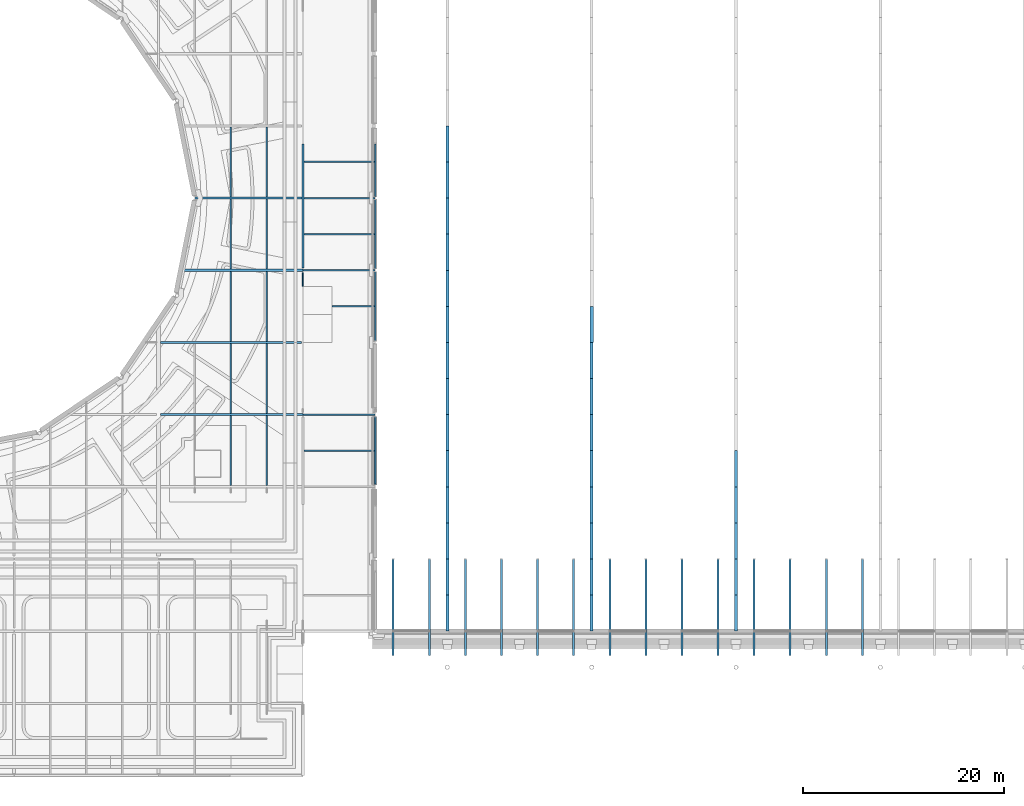
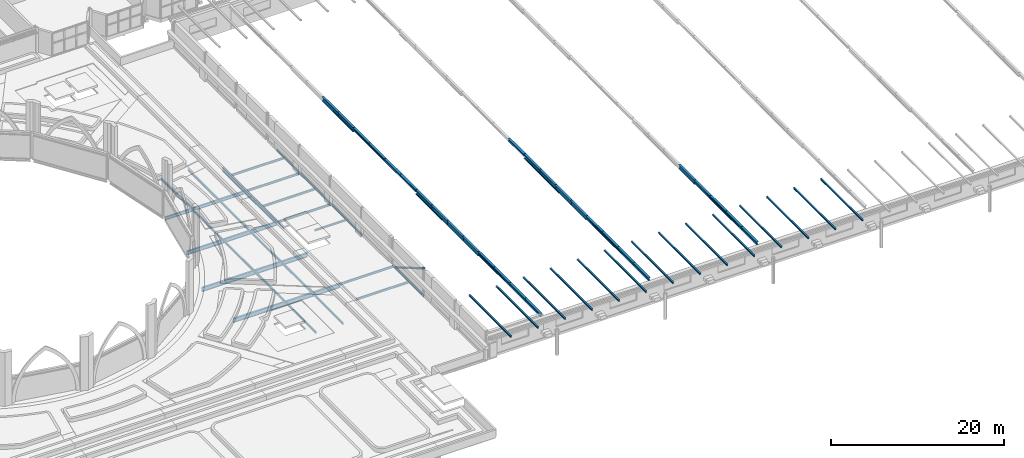
# One storey, part 22 of 110: 43 members, 27 beams.
"""IFC4 building model written with IfcOpenShell, lengths in metres."""

from ifc_helpers import new_model, si_unit, direction, frame, origin, origin_2d, place, context, subcontext, project, spatial, hollow_circle, i_section, extrude, material, material_profile, profile_set, type_object, element, save


model = new_model("IFC4")

# Units and contexts
model_context = context("Model", 3, precision=1e-05, world=origin(), true_north=direction((0.0, 1.0)))
body_context = subcontext(model_context, "Body", "Model", "MODEL_VIEW")
ifc_project = project(units=[si_unit("LENGTHUNIT", "METRE"), si_unit("AREAUNIT", "SQUARE_METRE"), si_unit("VOLUMEUNIT", "CUBIC_METRE"), si_unit("PLANEANGLEUNIT", "RADIAN"), si_unit("MASSUNIT", "GRAM", prefix="KILO")], contexts=[model_context])

# Site, building, storey
site_placement = place(None, origin())
site = spatial("IfcSite", under=ifc_project, at=site_placement, CompositionType="ELEMENT")
building_placement = place(site_placement, origin())
building = spatial("IfcBuilding", under=site, at=building_placement, Name="Kupolbacken Congress Centre", CompositionType="ELEMENT")
storey_placement = place(building_placement, frame((0.0, 0.0, 18.0)))
storey = spatial("IfcBuildingStorey", under=building, at=storey_placement, Name="L05", CompositionType="ELEMENT", Elevation=18.0)

# Beams
ifc_material_1 = material(Name="Steel S355", Category="steel")
ifc_material_profile_1 = material_profile(ifc_material_1, i_section(OverallWidth=0.10009765625, OverallDepth=0.199951171875, WebThickness=0.005615234375, FlangeThickness=0.008544921875, FilletRadius=0.011962890625, at=origin_2d()), Name="IPE 200")
ifc_profile_set_1 = profile_set([ifc_material_profile_1], Name="Steel S355")
beam_type_1 = type_object("IfcBeamType", Name="B01 beam IPE 200", PredefinedType="BEAM", material=ifc_profile_set_1)
beam_1_placement = place(storey_placement, frame((79.199951171875, 77.60009765625, -0.280029296875), z_axis=(0.0, 1.0, 0.0), x_axis=(-1.0, 0.0, 0.0)))
element("IfcBeam", 1, at=beam_1_placement, inside=storey, type_object=beam_type_1, Name="S/floor/P/L05/G034", PredefinedType="BEAM", context=body_context, shape_type="SweptSolid", body=[
    extrude(i_section(OverallWidth=0.10009765625, OverallDepth=0.199951171875, WebThickness=0.005615234375, FlangeThickness=0.008544921875, FilletRadius=0.011962890625, at=origin_2d()), origin(), (0.0, 0.0, 1.0), 1.375),
])
ifc_material_2 = material(Name="Steel S355", Category="steel")
ifc_material_profile_2 = material_profile(ifc_material_2, i_section(OverallWidth=0.135009765625, OverallDepth=0.27001953125, WebThickness=0.006591796875, FlangeThickness=0.01025390625, FilletRadius=0.014892578125, at=origin_2d()), Name="IPE 270")
ifc_profile_set_2 = profile_set([ifc_material_profile_2], Name="Steel S355")
beam_type_2 = type_object("IfcBeamType", Name="B03 beam IPE 270", PredefinedType="BEAM", material=ifc_profile_set_2)
beam_2_placement = place(storey_placement, frame((86.39990234375, 86.544921875, -0.31494140625), z_axis=(0.0, 1.0, 0.0), x_axis=(-1.0, 0.0, 0.0)))
element("IfcBeam", 2, at=beam_2_placement, inside=storey, type_object=beam_type_2, Name="S/floor/LINK/L05/E007", PredefinedType="BEAM", context=body_context, shape_type="SweptSolid", body=[
    extrude(i_section(OverallWidth=0.135009765625, OverallDepth=0.27001953125, WebThickness=0.006591796875, FlangeThickness=0.01025390625, FilletRadius=0.014892578125, at=origin_2d()), origin(), (0.0, 0.0, 1.0), 5.255126953125),
])
beam_3_placement = place(storey_placement, frame((82.10009765625, 75.60009765625, -0.31494140625), z_axis=(1.0, 0.0, 0.0), x_axis=(0.0, 1.0, 0.0)))
element("IfcBeam", 3, at=beam_3_placement, inside=storey, type_object=beam_type_2, Name="S/floor/LINK/L05/R015", PredefinedType="BEAM", context=body_context, shape_type="SweptSolid", body=[
    extrude(i_section(OverallWidth=0.135009765625, OverallDepth=0.27001953125, WebThickness=0.006591796875, FlangeThickness=0.01025390625, FilletRadius=0.014892578125, at=origin_2d()), origin(), (0.0, 0.0, 1.0), 4.224853515625),
])
ifc_material_3 = material(Name="Steel S355", Category="steel")
ifc_material_profile_3 = material_profile(ifc_material_3, i_section(OverallWidth=0.14990234375, OverallDepth=0.300048828125, WebThickness=0.007080078125, FlangeThickness=0.0107421875, FilletRadius=0.014892578125, at=origin_2d()), Name="IPE 300")
ifc_profile_set_3 = profile_set([ifc_material_profile_3], Name="Steel S355")
beam_type_3 = type_object("IfcBeamType", Name="B04 beam IPE 300", PredefinedType="BEAM", material=ifc_profile_set_3)
for number, where, z_axis, x_axis, name in (
    (4, (72.0, 57.7099609375, -0.330078125), (0.0, 1.0, 0.0), (-1.0, 0.0, 0.0), "S/floor/P/L05/S141"),
    (5, (72.0, 64.909912109375, -0.330078125), (0.0, 1.0, 0.0), (-1.0, 0.0, 0.0), "S/floor/P/L05/S142"),
):
    element("IfcBeam", number, at=place(storey_placement, frame(where, z_axis=z_axis, x_axis=x_axis)), inside=storey, type_object=beam_type_3, Name=name, PredefinedType="BEAM", context=body_context, shape_type="SweptSolid", body=[
        extrude(i_section(OverallWidth=0.14990234375, OverallDepth=0.300048828125, WebThickness=0.007080078125, FlangeThickness=0.0107421875, FilletRadius=0.014892578125, at=origin_2d()), origin(), (0.0, 0.0, 1.0), 6.97998046875),
    ])
beam_4_placement = place(storey_placement, frame((72.0, 72.110107421875, -0.330078125), z_axis=(0.0, 1.0, 0.0), x_axis=(-1.0, 0.0, 0.0)))
element("IfcBeam", 6, at=beam_4_placement, inside=storey, type_object=beam_type_3, Name="S/floor/P/L05/S143", PredefinedType="BEAM", context=body_context, shape_type="SweptSolid", body=[
    extrude(i_section(OverallWidth=0.14990234375, OverallDepth=0.300048828125, WebThickness=0.007080078125, FlangeThickness=0.0107421875, FilletRadius=0.014892578125, at=origin_2d()), origin(), (0.0, 0.0, 1.0), 6.98486328125),
])
for number, where, z_axis, x_axis, name in (
    (7, (72.0, 79.304931640625, -0.330078125), (0.0, 1.0, 0.0), (-1.0, 0.0, 0.0), "S/floor/P/L05/S144"),
    (8, (72.0, 86.4951171875, -0.330078125), (0.0, 1.0, 0.0), (-1.0, 0.0, 0.0), "S/floor/P/L05/S145"),
):
    element("IfcBeam", number, at=place(storey_placement, frame(where, z_axis=z_axis, x_axis=x_axis)), inside=storey, type_object=beam_type_3, Name=name, PredefinedType="BEAM", context=body_context, shape_type="SweptSolid", body=[
        extrude(i_section(OverallWidth=0.14990234375, OverallDepth=0.300048828125, WebThickness=0.007080078125, FlangeThickness=0.0107421875, FilletRadius=0.014892578125, at=origin_2d()), origin(), (0.0, 0.0, 1.0), 7.0),
    ])
for number, where, z_axis, x_axis, name in (
    (9, (75.60009765625, 57.7099609375, -0.330078125), (0.0, 1.0, 0.0), (-1.0, 0.0, 0.0), "S/floor/P/L05/S152"),
    (10, (75.60009765625, 64.909912109375, -0.330078125), (0.0, 1.0, 0.0), (-1.0, 0.0, 0.0), "S/floor/P/L05/S153"),
):
    element("IfcBeam", number, at=place(storey_placement, frame(where, z_axis=z_axis, x_axis=x_axis)), inside=storey, type_object=beam_type_3, Name=name, PredefinedType="BEAM", context=body_context, shape_type="SweptSolid", body=[
        extrude(i_section(OverallWidth=0.14990234375, OverallDepth=0.300048828125, WebThickness=0.007080078125, FlangeThickness=0.0107421875, FilletRadius=0.014892578125, at=origin_2d()), origin(), (0.0, 0.0, 1.0), 6.97998046875),
    ])
beam_5_placement = place(storey_placement, frame((75.60009765625, 72.110107421875, -0.330078125), z_axis=(0.0, 1.0, 0.0), x_axis=(-1.0, 0.0, 0.0)))
element("IfcBeam", 11, at=beam_5_placement, inside=storey, type_object=beam_type_3, Name="S/floor/P/L05/S154", PredefinedType="BEAM", context=body_context, shape_type="SweptSolid", body=[
    extrude(i_section(OverallWidth=0.14990234375, OverallDepth=0.300048828125, WebThickness=0.007080078125, FlangeThickness=0.0107421875, FilletRadius=0.014892578125, at=origin_2d()), origin(), (0.0, 0.0, 1.0), 6.98486328125),
])
for number, where, z_axis, x_axis, name in (
    (12, (75.60009765625, 79.304931640625, -0.330078125), (0.0, 1.0, 0.0), (-1.0, 0.0, 0.0), "S/floor/P/L05/S155"),
    (13, (75.60009765625, 86.4951171875, -0.330078125), (0.0, 1.0, 0.0), (-1.0, 0.0, 0.0), "S/floor/P/L05/S156"),
):
    element("IfcBeam", number, at=place(storey_placement, frame(where, z_axis=z_axis, x_axis=x_axis)), inside=storey, type_object=beam_type_3, Name=name, PredefinedType="BEAM", context=body_context, shape_type="SweptSolid", body=[
        extrude(i_section(OverallWidth=0.14990234375, OverallDepth=0.300048828125, WebThickness=0.007080078125, FlangeThickness=0.0107421875, FilletRadius=0.014892578125, at=origin_2d()), origin(), (0.0, 0.0, 1.0), 7.0),
    ])
beam_6_placement = place(storey_placement, frame((86.39990234375, 57.844970703125, -0.330078125), z_axis=(0.0, 1.0, 0.0), x_axis=(-1.0, 0.0, 0.0)))
element("IfcBeam", 14, at=beam_6_placement, inside=storey, type_object=beam_type_3, Name="S/floor/LINK/L05/E003", PredefinedType="BEAM", context=body_context, shape_type="SweptSolid", body=[
    extrude(i_section(OverallWidth=0.14990234375, OverallDepth=0.300048828125, WebThickness=0.007080078125, FlangeThickness=0.0107421875, FilletRadius=0.014892578125, at=origin_2d()), origin(), (0.0, 0.0, 1.0), 6.7099609375),
])
beam_7_placement = place(storey_placement, frame((86.39990234375, 72.10009765625, -0.330078125), z_axis=(0.0, 1.0, 0.0), x_axis=(-1.0, 0.0, 0.0)))
element("IfcBeam", 15, at=beam_7_placement, inside=storey, type_object=beam_type_3, Name="S/floor/LINK/L05/E005", PredefinedType="BEAM", context=body_context, shape_type="SweptSolid", body=[
    extrude(i_section(OverallWidth=0.14990234375, OverallDepth=0.300048828125, WebThickness=0.007080078125, FlangeThickness=0.0107421875, FilletRadius=0.014892578125, at=origin_2d()), origin(), (0.0, 0.0, 1.0), 6.954833984375),
])
beam_8_placement = place(storey_placement, frame((86.39990234375, 79.344970703125, -0.330078125), z_axis=(0.0, 1.0, 0.0), x_axis=(-1.0, 0.0, 0.0)))
element("IfcBeam", 16, at=beam_8_placement, inside=storey, type_object=beam_type_3, Name="S/floor/LINK/L05/E006", PredefinedType="BEAM", context=body_context, shape_type="SweptSolid", body=[
    extrude(i_section(OverallWidth=0.14990234375, OverallDepth=0.300048828125, WebThickness=0.007080078125, FlangeThickness=0.0107421875, FilletRadius=0.014892578125, at=origin_2d()), origin(), (0.0, 0.0, 1.0), 6.909912109375),
])
beam_9_placement = place(storey_placement, frame((79.2900390625, 61.199951171875, -0.330078125), z_axis=(1.0, 0.0, 0.0), x_axis=(0.0, 1.0, 0.0)))
element("IfcBeam", 17, at=beam_9_placement, inside=storey, type_object=beam_type_3, Name="S/floor/LINK/L05/R013", PredefinedType="BEAM", context=body_context, shape_type="SweptSolid", body=[
    extrude(i_section(OverallWidth=0.14990234375, OverallDepth=0.300048828125, WebThickness=0.007080078125, FlangeThickness=0.0107421875, FilletRadius=0.014892578125, at=origin_2d()), origin(), (0.0, 0.0, 1.0), 7.034912109375),
])
beam_10_placement = place(storey_placement, frame((79.20703125, 64.800048828125, -0.330078125), z_axis=(1.0, 0.0, 0.0), x_axis=(0.0, 1.0, 0.0)))
element("IfcBeam", 18, at=beam_10_placement, inside=storey, type_object=beam_type_3, Name="S/floor/LINK/L05/R014", PredefinedType="BEAM", context=body_context, shape_type="SweptSolid", body=[
    extrude(i_section(OverallWidth=0.14990234375, OverallDepth=0.300048828125, WebThickness=0.007080078125, FlangeThickness=0.0107421875, FilletRadius=0.014892578125, at=origin_2d()), origin(), (0.0, 0.0, 1.0), 7.18701171875),
])
beam_11_placement = place(storey_placement, frame((79.20703125, 79.199951171875, -0.330078125), z_axis=(1.0, 0.0, 0.0), x_axis=(0.0, 1.0, 0.0)))
element("IfcBeam", 19, at=beam_11_placement, inside=storey, type_object=beam_type_3, Name="S/floor/LINK/L05/R016", PredefinedType="BEAM", context=body_context, shape_type="SweptSolid", body=[
    extrude(i_section(OverallWidth=0.14990234375, OverallDepth=0.300048828125, WebThickness=0.007080078125, FlangeThickness=0.0107421875, FilletRadius=0.014892578125, at=origin_2d()), origin(), (0.0, 0.0, 1.0), 7.188720703125),
])
beam_12_placement = place(storey_placement, frame((79.304931640625, 82.800048828125, -0.330078125), z_axis=(1.0, 0.0, 0.0), x_axis=(0.0, 1.0, 0.0)))
element("IfcBeam", 20, at=beam_12_placement, inside=storey, type_object=beam_type_3, Name="S/floor/LINK/L05/R017", PredefinedType="BEAM", context=body_context, shape_type="SweptSolid", body=[
    extrude(i_section(OverallWidth=0.14990234375, OverallDepth=0.300048828125, WebThickness=0.007080078125, FlangeThickness=0.0107421875, FilletRadius=0.014892578125, at=origin_2d()), origin(), (0.0, 0.0, 1.0), 7.02001953125),
])
beam_13_placement = place(storey_placement, frame((79.304931640625, 86.39990234375, -0.330078125), z_axis=(1.0, 0.0, 0.0), x_axis=(0.0, 1.0, 0.0)))
element("IfcBeam", 21, at=beam_13_placement, inside=storey, type_object=beam_type_3, Name="S/floor/LINK/L05/R018", PredefinedType="BEAM", context=body_context, shape_type="SweptSolid", body=[
    extrude(i_section(OverallWidth=0.14990234375, OverallDepth=0.300048828125, WebThickness=0.007080078125, FlangeThickness=0.0107421875, FilletRadius=0.014892578125, at=origin_2d()), origin(), (0.0, 0.0, 1.0), 7.0908203125),
])
beam_14_placement = place(storey_placement, frame((79.304931640625, 90.0, -0.330078125), z_axis=(1.0, 0.0, 0.0), x_axis=(0.0, 1.0, 0.0)))
element("IfcBeam", 22, at=beam_14_placement, inside=storey, type_object=beam_type_3, Name="S/floor/LINK/L05/R019", PredefinedType="BEAM", context=body_context, shape_type="SweptSolid", body=[
    extrude(i_section(OverallWidth=0.14990234375, OverallDepth=0.300048828125, WebThickness=0.007080078125, FlangeThickness=0.0107421875, FilletRadius=0.014892578125, at=origin_2d()), origin(), (0.0, 0.0, 1.0), 7.027587890625),
])
ifc_material_4 = material(Name="Steel S355", Category="steel")
ifc_material_profile_4 = material_profile(ifc_material_4, i_section(OverallWidth=0.18994140625, OverallDepth=0.449951171875, WebThickness=0.009521484375, FlangeThickness=0.0146484375, FilletRadius=0.02099609375, at=origin_2d()), Name="IPE 450")
ifc_profile_set_4 = profile_set([ifc_material_profile_4], Name="Steel S355")
beam_type_4 = type_object("IfcBeamType", Name="B08 beam IPE 450", PredefinedType="BEAM", material=ifc_profile_set_4)
beam_15_placement = place(storey_placement, frame((68.40673828125, 86.39990234375, -0.405029296875), z_axis=(1.0, 0.0, 0.0), x_axis=(0.0, 1.0, 0.0)))
element("IfcBeam", 23, at=beam_15_placement, inside=storey, type_object=beam_type_4, Name="S/floor/P/L05/R054", PredefinedType="BEAM", context=body_context, shape_type="SweptSolid", body=[
    extrude(i_section(OverallWidth=0.18994140625, OverallDepth=0.449951171875, WebThickness=0.009521484375, FlangeThickness=0.0146484375, FilletRadius=0.02099609375, at=origin_2d()), origin(), (0.0, 0.0, 1.0), 10.688232421875),
])
ifc_material_5 = material(Name="Steel S355", Category="steel")
ifc_material_profile_5 = material_profile(ifc_material_5, i_section(OverallWidth=0.2099609375, OverallDepth=0.550048828125, WebThickness=0.010986328125, FlangeThickness=0.01708984375, FilletRadius=0.02392578125, at=origin_2d()), Name="IPE 550")
ifc_profile_set_5 = profile_set([ifc_material_profile_5], Name="Steel S355")
beam_type_5 = type_object("IfcBeamType", Name="B10 beam IPE 550", PredefinedType="BEAM", material=ifc_profile_set_5)
beam_16_placement = place(storey_placement, frame((79.199951171875, 79.425048828125, -0.455078125), z_axis=(0.0, 1.0, 0.0), x_axis=(-1.0, 0.0, 0.0)))
element("IfcBeam", 24, at=beam_16_placement, inside=storey, type_object=beam_type_5, Name="S/floor/P/L05/G035", PredefinedType="BEAM", context=body_context, shape_type="SweptSolid", body=[
    extrude(i_section(OverallWidth=0.2099609375, OverallDepth=0.550048828125, WebThickness=0.010986328125, FlangeThickness=0.01708984375, FilletRadius=0.02392578125, at=origin_2d()), origin(), (0.0, 0.0, 1.0), 12.349853515625),
])
beam_17_placement = place(storey_placement, frame((67.156005859375, 79.199951171875, -0.455078125), z_axis=(1.0, 0.0, 0.0), x_axis=(0.0, 1.0, 0.0)))
element("IfcBeam", 25, at=beam_17_placement, inside=storey, type_object=beam_type_5, Name="S/floor/P/L05/R052", PredefinedType="BEAM", context=body_context, shape_type="SweptSolid", body=[
    extrude(i_section(OverallWidth=0.2099609375, OverallDepth=0.550048828125, WebThickness=0.010986328125, FlangeThickness=0.01708984375, FilletRadius=0.02392578125, at=origin_2d()), origin(), (0.0, 0.0, 1.0), 12.037109375),
])
ifc_material_6 = material(Name="Steel S355", Category="steel")
ifc_material_profile_6 = material_profile(ifc_material_6, i_section(OverallWidth=0.219970703125, OverallDepth=0.60009765625, WebThickness=0.011962890625, FlangeThickness=0.01904296875, FilletRadius=0.02392578125, at=origin_2d()), Name="IPE 600")
ifc_profile_set_6 = profile_set([ifc_material_profile_6], Name="Steel S355")
beam_type_6 = type_object("IfcBeamType", Name="B11 beam IPE 600", PredefinedType="BEAM", material=ifc_profile_set_6)
beam_18_placement = place(storey_placement, frame((65.0, 64.800048828125, -0.47998046875), z_axis=(1.0, 0.0, 0.0), x_axis=(0.0, 1.0, 0.0)))
element("IfcBeam", 26, at=beam_18_placement, inside=storey, type_object=beam_type_6, Name="S/floor/P/L05/R046", PredefinedType="BEAM", context=body_context, shape_type="SweptSolid", body=[
    extrude(i_section(OverallWidth=0.219970703125, OverallDepth=0.60009765625, WebThickness=0.011962890625, FlangeThickness=0.01904296875, FilletRadius=0.02392578125, at=origin_2d()), origin(), (0.0, 0.0, 1.0), 14.193115234375),
])
beam_19_placement = place(storey_placement, frame((65.0, 72.0, -0.47998046875), z_axis=(1.0, 0.0, 0.0), x_axis=(0.0, 1.0, 0.0)))
element("IfcBeam", 27, at=beam_19_placement, inside=storey, type_object=beam_type_6, Name="S/floor/P/L05/R050", PredefinedType="BEAM", context=body_context, shape_type="SweptSolid", body=[
    extrude(i_section(OverallWidth=0.219970703125, OverallDepth=0.60009765625, WebThickness=0.011962890625, FlangeThickness=0.01904296875, FilletRadius=0.02392578125, at=origin_2d()), origin(), (0.0, 0.0, 1.0), 14.074951171875),
])

# Members
ifc_material_7 = material(Name="Steel S355", Category="steel")
ifc_material_profile_7 = material_profile(ifc_material_7, i_section(OverallWidth=0.31005859375, OverallDepth=0.340087890625, WebThickness=0.02099609375, FlangeThickness=0.0390625, FilletRadius=0.027099609375, at=origin_2d()), Name="HEM 300")
ifc_profile_set_7 = profile_set([ifc_material_profile_7], Name="Steel S355")
member_type_1 = type_object("IfcMemberType", Name="M01 transfer truss chord HEM 300", PredefinedType="CHORD", material=ifc_profile_set_7)
member_1_placement = place(storey_placement, frame((93.60009765625, 72.0, 3.429931640625), z_axis=(0.0, 1.0, 0.0), x_axis=(-1.0, 0.0, 0.0)))
element("IfcMember", 28, at=member_1_placement, inside=storey, type_object=member_type_1, Name="HT/T1/TC09", PredefinedType="CHORD", context=body_context, shape_type="SweptSolid", body=[
    extrude(i_section(OverallWidth=0.31005859375, OverallDepth=0.340087890625, WebThickness=0.02099609375, FlangeThickness=0.0390625, FilletRadius=0.027099609375, at=origin_2d()), origin(), (0.0, 0.0, 1.0), 3.60009765625),
])
member_2_placement = place(storey_placement, frame((93.60009765625, 75.60009765625, 3.429931640625), z_axis=(0.0, 1.0, 0.0), x_axis=(-1.0, 0.0, 0.0)))
element("IfcMember", 29, at=member_2_placement, inside=storey, type_object=member_type_1, Name="HT/T1/TC10", PredefinedType="CHORD", context=body_context, shape_type="SweptSolid", body=[
    extrude(i_section(OverallWidth=0.31005859375, OverallDepth=0.340087890625, WebThickness=0.02099609375, FlangeThickness=0.0390625, FilletRadius=0.027099609375, at=origin_2d()), origin(), (0.0, 0.0, 1.0), 3.599853515625),
])
member_3_placement = place(storey_placement, frame((93.60009765625, 79.199951171875, 3.429931640625), z_axis=(0.0, 1.0, 0.0), x_axis=(-1.0, 0.0, 0.0)))
element("IfcMember", 30, at=member_3_placement, inside=storey, type_object=member_type_1, Name="HT/T1/TC11", PredefinedType="CHORD", context=body_context, shape_type="SweptSolid", body=[
    extrude(i_section(OverallWidth=0.31005859375, OverallDepth=0.340087890625, WebThickness=0.02099609375, FlangeThickness=0.0390625, FilletRadius=0.027099609375, at=origin_2d()), origin(), (0.0, 0.0, 1.0), 3.60009765625),
])
member_4_placement = place(storey_placement, frame((93.60009765625, 82.800048828125, 3.429931640625), z_axis=(0.0, 1.0, 0.0), x_axis=(-1.0, 0.0, 0.0)))
element("IfcMember", 31, at=member_4_placement, inside=storey, type_object=member_type_1, Name="HT/T1/TC12", PredefinedType="CHORD", context=body_context, shape_type="SweptSolid", body=[
    extrude(i_section(OverallWidth=0.31005859375, OverallDepth=0.340087890625, WebThickness=0.02099609375, FlangeThickness=0.0390625, FilletRadius=0.027099609375, at=origin_2d()), origin(), (0.0, 0.0, 1.0), 3.599853515625),
])
member_5_placement = place(storey_placement, frame((108.0, 72.0, 3.429931640625), z_axis=(0.0, 1.0, 0.0), x_axis=(-1.0, 0.0, 0.0)))
element("IfcMember", 32, at=member_5_placement, inside=storey, type_object=member_type_1, Name="HT/T2/TC09", PredefinedType="CHORD", context=body_context, shape_type="SweptSolid", body=[
    extrude(i_section(OverallWidth=0.31005859375, OverallDepth=0.340087890625, WebThickness=0.02099609375, FlangeThickness=0.0390625, FilletRadius=0.027099609375, at=origin_2d()), origin(), (0.0, 0.0, 1.0), 3.60009765625),
])
ifc_material_8 = material(Name="Steel S355", Category="steel")
ifc_material_profile_8 = material_profile(ifc_material_8, i_section(OverallWidth=0.300048828125, OverallDepth=0.60009765625, WebThickness=0.015380859375, FlangeThickness=0.030029296875, FilletRadius=0.027099609375, at=origin_2d()), Name="HEB 600")
ifc_profile_set_8 = profile_set([ifc_material_profile_8], Name="Steel S355")
member_type_2 = type_object("IfcMemberType", Name="M02 transfer truss chord HEB 600", PredefinedType="CHORD", material=ifc_profile_set_8)
member_6_placement = place(storey_placement, frame((93.60009765625, 57.60009765625, 3.300048828125), z_axis=(0.0, 1.0, 0.0), x_axis=(-1.0, 0.0, 0.0)))
element("IfcMember", 33, at=member_6_placement, inside=storey, type_object=member_type_2, Name="HT/T1/TC05", PredefinedType="CHORD", context=body_context, shape_type="SweptSolid", body=[
    extrude(i_section(OverallWidth=0.300048828125, OverallDepth=0.60009765625, WebThickness=0.015380859375, FlangeThickness=0.030029296875, FilletRadius=0.027099609375, at=origin_2d()), origin(), (0.0, 0.0, 1.0), 3.599853515625),
])
member_7_placement = place(storey_placement, frame((93.60009765625, 61.199951171875, 3.300048828125), z_axis=(0.0, 1.0, 0.0), x_axis=(-1.0, 0.0, 0.0)))
element("IfcMember", 34, at=member_7_placement, inside=storey, type_object=member_type_2, Name="HT/T1/TC06", PredefinedType="CHORD", context=body_context, shape_type="SweptSolid", body=[
    extrude(i_section(OverallWidth=0.300048828125, OverallDepth=0.60009765625, WebThickness=0.015380859375, FlangeThickness=0.030029296875, FilletRadius=0.027099609375, at=origin_2d()), origin(), (0.0, 0.0, 1.0), 3.60009765625),
])
member_8_placement = place(storey_placement, frame((93.60009765625, 64.800048828125, 3.300048828125), z_axis=(0.0, 1.0, 0.0), x_axis=(-1.0, 0.0, 0.0)))
element("IfcMember", 35, at=member_8_placement, inside=storey, type_object=member_type_2, Name="HT/T1/TC07", PredefinedType="CHORD", context=body_context, shape_type="SweptSolid", body=[
    extrude(i_section(OverallWidth=0.300048828125, OverallDepth=0.60009765625, WebThickness=0.015380859375, FlangeThickness=0.030029296875, FilletRadius=0.027099609375, at=origin_2d()), origin(), (0.0, 0.0, 1.0), 3.599853515625),
])
for number, where, z_axis, x_axis, name in (
    (36, (93.60009765625, 68.39990234375, 3.300048828125), (0.0, 1.0, 0.0), (-1.0, 0.0, 0.0), "HT/T1/TC08"),
    (37, (93.60009765625, 86.39990234375, 3.300048828125), (0.0, 1.0, 0.0), (-1.0, 0.0, 0.0), "HT/T1/TC13"),
    (38, (93.60009765625, 90.0, 3.300048828125), (0.0, 1.0, 0.0), (-1.0, 0.0, 0.0), "HT/T1/TC14"),
):
    element("IfcMember", number, at=place(storey_placement, frame(where, z_axis=z_axis, x_axis=x_axis)), inside=storey, type_object=member_type_2, Name=name, PredefinedType="CHORD", context=body_context, shape_type="SweptSolid", body=[
        extrude(i_section(OverallWidth=0.300048828125, OverallDepth=0.60009765625, WebThickness=0.015380859375, FlangeThickness=0.030029296875, FilletRadius=0.027099609375, at=origin_2d()), origin(), (0.0, 0.0, 1.0), 3.60009765625),
    ])
member_9_placement = place(storey_placement, frame((108.0, 57.60009765625, 3.300048828125), z_axis=(0.0, 1.0, 0.0), x_axis=(-1.0, 0.0, 0.0)))
element("IfcMember", 39, at=member_9_placement, inside=storey, type_object=member_type_2, Name="HT/T2/TC05", PredefinedType="CHORD", context=body_context, shape_type="SweptSolid", body=[
    extrude(i_section(OverallWidth=0.300048828125, OverallDepth=0.60009765625, WebThickness=0.015380859375, FlangeThickness=0.030029296875, FilletRadius=0.027099609375, at=origin_2d()), origin(), (0.0, 0.0, 1.0), 3.599853515625),
])
member_10_placement = place(storey_placement, frame((108.0, 61.199951171875, 3.300048828125), z_axis=(0.0, 1.0, 0.0), x_axis=(-1.0, 0.0, 0.0)))
element("IfcMember", 40, at=member_10_placement, inside=storey, type_object=member_type_2, Name="HT/T2/TC06", PredefinedType="CHORD", context=body_context, shape_type="SweptSolid", body=[
    extrude(i_section(OverallWidth=0.300048828125, OverallDepth=0.60009765625, WebThickness=0.015380859375, FlangeThickness=0.030029296875, FilletRadius=0.027099609375, at=origin_2d()), origin(), (0.0, 0.0, 1.0), 3.60009765625),
])
member_11_placement = place(storey_placement, frame((108.0, 64.800048828125, 3.300048828125), z_axis=(0.0, 1.0, 0.0), x_axis=(-1.0, 0.0, 0.0)))
element("IfcMember", 41, at=member_11_placement, inside=storey, type_object=member_type_2, Name="HT/T2/TC07", PredefinedType="CHORD", context=body_context, shape_type="SweptSolid", body=[
    extrude(i_section(OverallWidth=0.300048828125, OverallDepth=0.60009765625, WebThickness=0.015380859375, FlangeThickness=0.030029296875, FilletRadius=0.027099609375, at=origin_2d()), origin(), (0.0, 0.0, 1.0), 3.599853515625),
])
member_12_placement = place(storey_placement, frame((108.0, 68.39990234375, 3.300048828125), z_axis=(0.0, 1.0, 0.0), x_axis=(-1.0, 0.0, 0.0)))
element("IfcMember", 42, at=member_12_placement, inside=storey, type_object=member_type_2, Name="HT/T2/TC08", PredefinedType="CHORD", context=body_context, shape_type="SweptSolid", body=[
    extrude(i_section(OverallWidth=0.300048828125, OverallDepth=0.60009765625, WebThickness=0.015380859375, FlangeThickness=0.030029296875, FilletRadius=0.027099609375, at=origin_2d()), origin(), (0.0, 0.0, 1.0), 3.60009765625),
])
member_13_placement = place(storey_placement, frame((122.39990234375, 57.60009765625, 3.300048828125), z_axis=(0.0, 1.0, 0.0), x_axis=(-1.0, 0.0, 0.0)))
element("IfcMember", 43, at=member_13_placement, inside=storey, type_object=member_type_2, Name="HT/T3/TC05", PredefinedType="CHORD", context=body_context, shape_type="SweptSolid", body=[
    extrude(i_section(OverallWidth=0.300048828125, OverallDepth=0.60009765625, WebThickness=0.015380859375, FlangeThickness=0.030029296875, FilletRadius=0.027099609375, at=origin_2d()), origin(), (0.0, 0.0, 1.0), 3.599853515625),
])
ifc_material_9 = material(Name="Steel S355", Category="steel")
ifc_material_profile_9 = material_profile(ifc_material_9, i_section(OverallWidth=0.300048828125, OverallDepth=0.43994140625, WebThickness=0.011474609375, FlangeThickness=0.02099609375, FilletRadius=0.027099609375, at=origin_2d()), Name="HEA 450")
ifc_profile_set_9 = profile_set([ifc_material_profile_9], Name="Steel S355")
member_type_3 = type_object("IfcMemberType", Name="M03 transfer truss chord HEA 450", PredefinedType="CHORD", material=ifc_profile_set_9)
member_14_placement = place(storey_placement, frame((93.60009765625, 43.199951171875, 3.3798828125), z_axis=(0.0, 1.0, 0.0), x_axis=(-1.0, 0.0, 0.0)))
element("IfcMember", 44, at=member_14_placement, inside=storey, type_object=member_type_3, Name="HT/T1/TC01", PredefinedType="CHORD", context=body_context, shape_type="SweptSolid", body=[
    extrude(i_section(OverallWidth=0.300048828125, OverallDepth=0.43994140625, WebThickness=0.011474609375, FlangeThickness=0.02099609375, FilletRadius=0.027099609375, at=origin_2d()), origin(), (0.0, 0.0, 1.0), 3.60009765625),
])
member_15_placement = place(storey_placement, frame((93.60009765625, 46.800048828125, 3.3798828125), z_axis=(0.0, 1.0, 0.0), x_axis=(-1.0, 0.0, 0.0)))
element("IfcMember", 45, at=member_15_placement, inside=storey, type_object=member_type_3, Name="HT/T1/TC02", PredefinedType="CHORD", context=body_context, shape_type="SweptSolid", body=[
    extrude(i_section(OverallWidth=0.300048828125, OverallDepth=0.43994140625, WebThickness=0.011474609375, FlangeThickness=0.02099609375, FilletRadius=0.027099609375, at=origin_2d()), origin(), (0.0, 0.0, 1.0), 3.599853515625),
])
for number, where, z_axis, x_axis, name in (
    (46, (93.60009765625, 50.39990234375, 3.3798828125), (0.0, 1.0, 0.0), (-1.0, 0.0, 0.0), "HT/T1/TC03"),
    (47, (93.60009765625, 54.0, 3.3798828125), (0.0, 1.0, 0.0), (-1.0, 0.0, 0.0), "HT/T1/TC04"),
    (48, (108.0, 43.199951171875, 3.3798828125), (0.0, 1.0, 0.0), (-1.0, 0.0, 0.0), "HT/T2/TC01"),
):
    element("IfcMember", number, at=place(storey_placement, frame(where, z_axis=z_axis, x_axis=x_axis)), inside=storey, type_object=member_type_3, Name=name, PredefinedType="CHORD", context=body_context, shape_type="SweptSolid", body=[
        extrude(i_section(OverallWidth=0.300048828125, OverallDepth=0.43994140625, WebThickness=0.011474609375, FlangeThickness=0.02099609375, FilletRadius=0.027099609375, at=origin_2d()), origin(), (0.0, 0.0, 1.0), 3.60009765625),
    ])
member_16_placement = place(storey_placement, frame((108.0, 46.800048828125, 3.3798828125), z_axis=(0.0, 1.0, 0.0), x_axis=(-1.0, 0.0, 0.0)))
element("IfcMember", 49, at=member_16_placement, inside=storey, type_object=member_type_3, Name="HT/T2/TC02", PredefinedType="CHORD", context=body_context, shape_type="SweptSolid", body=[
    extrude(i_section(OverallWidth=0.300048828125, OverallDepth=0.43994140625, WebThickness=0.011474609375, FlangeThickness=0.02099609375, FilletRadius=0.027099609375, at=origin_2d()), origin(), (0.0, 0.0, 1.0), 3.599853515625),
])
for number, where, z_axis, x_axis, name in (
    (50, (108.0, 50.39990234375, 3.3798828125), (0.0, 1.0, 0.0), (-1.0, 0.0, 0.0), "HT/T2/TC03"),
    (51, (108.0, 54.0, 3.3798828125), (0.0, 1.0, 0.0), (-1.0, 0.0, 0.0), "HT/T2/TC04"),
    (52, (122.39990234375, 43.199951171875, 3.3798828125), (0.0, 1.0, 0.0), (-1.0, 0.0, 0.0), "HT/T3/TC01"),
):
    element("IfcMember", number, at=place(storey_placement, frame(where, z_axis=z_axis, x_axis=x_axis)), inside=storey, type_object=member_type_3, Name=name, PredefinedType="CHORD", context=body_context, shape_type="SweptSolid", body=[
        extrude(i_section(OverallWidth=0.300048828125, OverallDepth=0.43994140625, WebThickness=0.011474609375, FlangeThickness=0.02099609375, FilletRadius=0.027099609375, at=origin_2d()), origin(), (0.0, 0.0, 1.0), 3.60009765625),
    ])
member_17_placement = place(storey_placement, frame((122.39990234375, 46.800048828125, 3.3798828125), z_axis=(0.0, 1.0, 0.0), x_axis=(-1.0, 0.0, 0.0)))
element("IfcMember", 53, at=member_17_placement, inside=storey, type_object=member_type_3, Name="HT/T3/TC02", PredefinedType="CHORD", context=body_context, shape_type="SweptSolid", body=[
    extrude(i_section(OverallWidth=0.300048828125, OverallDepth=0.43994140625, WebThickness=0.011474609375, FlangeThickness=0.02099609375, FilletRadius=0.027099609375, at=origin_2d()), origin(), (0.0, 0.0, 1.0), 3.599853515625),
])
for number, where, z_axis, x_axis, name in (
    (54, (122.39990234375, 50.39990234375, 3.3798828125), (0.0, 1.0, 0.0), (-1.0, 0.0, 0.0), "HT/T3/TC03"),
    (55, (122.39990234375, 54.0, 3.3798828125), (0.0, 1.0, 0.0), (-1.0, 0.0, 0.0), "HT/T3/TC04"),
):
    element("IfcMember", number, at=place(storey_placement, frame(where, z_axis=z_axis, x_axis=x_axis)), inside=storey, type_object=member_type_3, Name=name, PredefinedType="CHORD", context=body_context, shape_type="SweptSolid", body=[
        extrude(i_section(OverallWidth=0.300048828125, OverallDepth=0.43994140625, WebThickness=0.011474609375, FlangeThickness=0.02099609375, FilletRadius=0.027099609375, at=origin_2d()), origin(), (0.0, 0.0, 1.0), 3.60009765625),
    ])
ifc_material_10 = material(Name="Steel S355", Category="steel")
ifc_material_profile_10 = material_profile(ifc_material_10, hollow_circle(Radius=0.136474609375, WallThickness=0.012451171875, at=origin_2d()), Name="CHS 273 x 12.5")
ifc_profile_set_10 = profile_set([ifc_material_profile_10], Name="Steel S355")
member_type_4 = type_object("IfcMemberType", Name="M08 brace CHS 273 x 12.5", PredefinedType="BRACE", material=ifc_profile_set_10)
member_18_placement = place(storey_placement, frame((86.39990234375, 64.554931640625, -0.330078125), z_axis=(0.0, -0.862880231538, 0.505408454639), x_axis=(1.0, 0.0, 0.0)))
element("IfcMember", 56, at=member_18_placement, inside=storey, type_object=member_type_4, Name="S/brace/W/03/06", PredefinedType="BRACE", context=body_context, shape_type="SweptSolid", body=[
    extrude(hollow_circle(Radius=0.136474609375, WallThickness=0.012451171875, at=origin_2d()), origin(), (0.0, 0.0, 1.0), 7.776123046875),
])
ifc_material_11 = material(Name="Steel S355", Category="steel")
ifc_material_profile_11 = material_profile(ifc_material_11, i_section(OverallWidth=0.199951171875, OverallDepth=0.18994140625, WebThickness=0.006591796875, FlangeThickness=0.010009765625, FilletRadius=0.01806640625, at=origin_2d()), Name="HEA 200")
ifc_profile_set_11 = profile_set([ifc_material_profile_11], Name="Steel S355")
member_type_5 = type_object("IfcMemberType", Name="M14 member HEA 200", PredefinedType="BRACE", material=ifc_profile_set_11)
for number, where, z_axis, x_axis, name in (
    (57, (88.199951171875, 50.39990234375, 3.68505859375), (0.0, -1.0, 0.0), (1.0, 0.0, 0.0), "HE/S01"),
    (58, (91.800048828125, 50.39990234375, 3.68505859375), (0.0, -1.0, 0.0), (1.0, 0.0, 0.0), "HE/S02"),
    (59, (95.39990234375, 50.39990234375, 3.68505859375), (0.0, -1.0, 0.0), (1.0, 0.0, 0.0), "HE/S03"),
    (60, (99.0, 50.39990234375, 3.68505859375), (0.0, -1.0, 0.0), (1.0, 0.0, 0.0), "HE/S04"),
    (61, (102.60009765625, 50.39990234375, 3.68505859375), (0.0, -1.0, 0.0), (1.0, 0.0, 0.0), "HE/S05"),
    (62, (106.199951171875, 50.39990234375, 3.68505859375), (0.0, -1.0, 0.0), (1.0, 0.0, 0.0), "HE/S06"),
    (63, (109.800048828125, 50.39990234375, 3.68505859375), (0.0, -1.0, 0.0), (1.0, 0.0, 0.0), "HE/S07"),
    (64, (113.39990234375, 50.39990234375, 3.68505859375), (0.0, -1.0, 0.0), (1.0, 0.0, 0.0), "HE/S08"),
    (65, (117.0, 50.39990234375, 3.68505859375), (0.0, -1.0, 0.0), (1.0, 0.0, 0.0), "HE/S09"),
    (66, (120.60009765625, 50.39990234375, 3.68505859375), (0.0, -1.0, 0.0), (1.0, 0.0, 0.0), "HE/S10"),
    (67, (124.199951171875, 50.39990234375, 3.68505859375), (0.0, -1.0, 0.0), (1.0, 0.0, 0.0), "HE/S11"),
    (68, (127.800048828125, 50.39990234375, 3.68505859375), (0.0, -1.0, 0.0), (1.0, 0.0, 0.0), "HE/S12"),
    (69, (131.39990234375, 50.39990234375, 3.68505859375), (0.0, -1.0, 0.0), (1.0, 0.0, 0.0), "HE/S13"),
    (70, (135.0, 50.39990234375, 3.68505859375), (0.0, -1.0, 0.0), (1.0, 0.0, 0.0), "HE/S14"),
):
    element("IfcMember", number, at=place(storey_placement, frame(where, z_axis=z_axis, x_axis=x_axis)), inside=storey, type_object=member_type_5, Name=name, PredefinedType="BRACE", context=body_context, shape_type="SweptSolid", body=[
        extrude(i_section(OverallWidth=0.199951171875, OverallDepth=0.18994140625, WebThickness=0.006591796875, FlangeThickness=0.010009765625, FilletRadius=0.01806640625, at=origin_2d()), origin(), (0.0, 0.0, 1.0), 9.599853515625),
    ])

save(model, "model.ifc")
